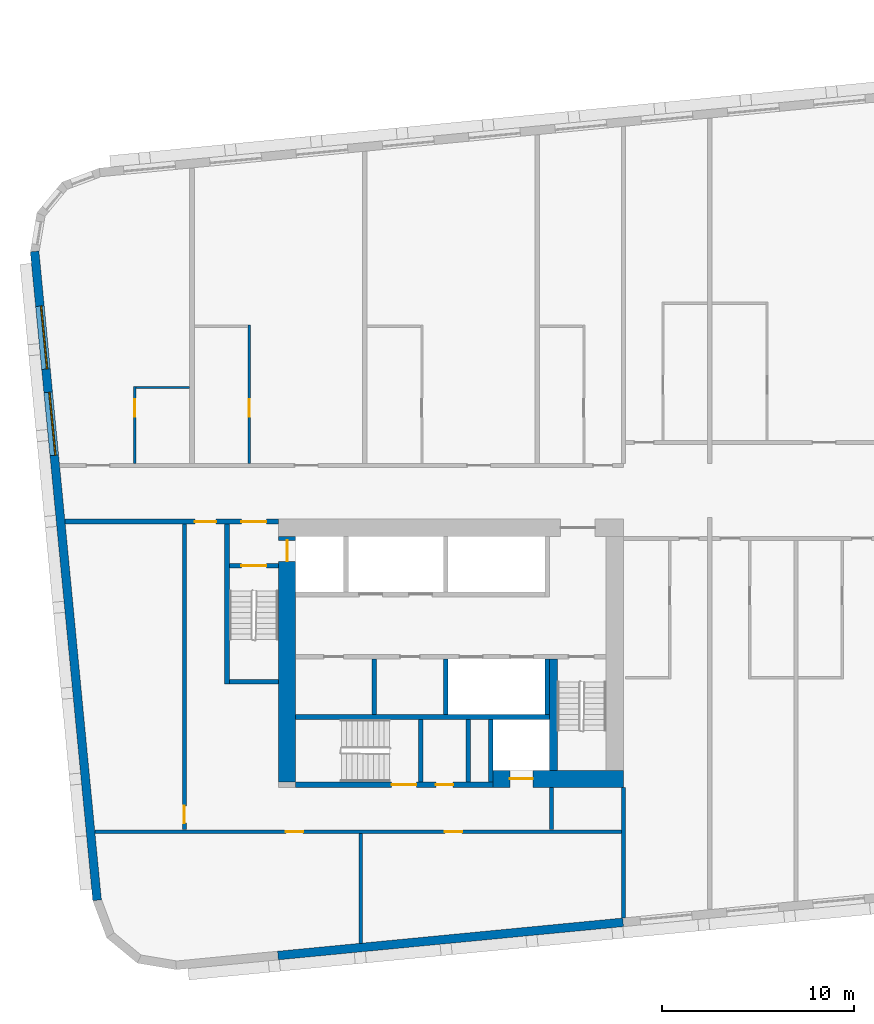
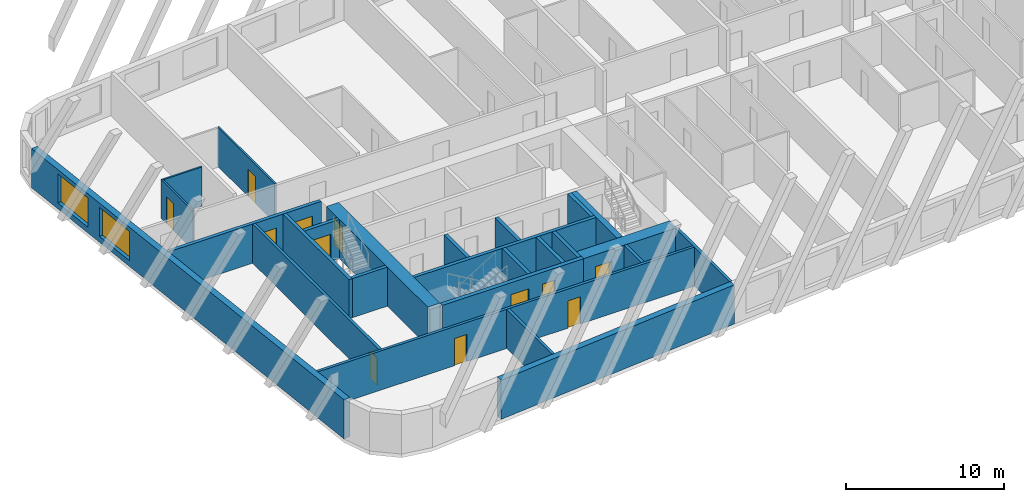
# One storey, part 2 of 13: 25 walls, 12 doors, 2 windows, 14 openings.
"""IFC4 building model written with IfcOpenShell, lengths in metres."""

from ifc_helpers import new_model, si_unit, direction, frame, frame_2d, origin, place, context, subcontext, project, spatial, rectangle, extrude, material, layer, layer_set, type_object, element, fill, save


model = new_model("IFC4")

# Units and contexts
model_context = context("Model", 3, precision=1e-05, world=origin(), true_north=direction((0.0, 1.0)))
body_context = subcontext(model_context, "Body", "Model", "MODEL_VIEW")
ifc_project = project(units=[si_unit("LENGTHUNIT", "METRE"), si_unit("AREAUNIT", "SQUARE_METRE"), si_unit("VOLUMEUNIT", "CUBIC_METRE"), si_unit("PLANEANGLEUNIT", "RADIAN"), si_unit("MASSUNIT", "GRAM", prefix="KILO")], contexts=[model_context])

# Site, building, storey
site_placement = place(None, origin())
site = spatial("IfcSite", under=ifc_project, at=site_placement, CompositionType="ELEMENT")
building_placement = place(site_placement, origin())
building = spatial("IfcBuilding", under=site, at=building_placement, Name="Kajstack Hotel Tower", CompositionType="ELEMENT")
storey_placement = place(building_placement, frame((0.0, 0.0, 196.60009765625)))
storey = spatial("IfcBuildingStorey", under=building, at=storey_placement, Name="L47", CompositionType="ELEMENT", Elevation=196.60009765625)

# Wall, opening, door
ifc_material_1 = material(Name="Concrete C60/75", Category="concrete")
ifc_layer_1 = layer(ifc_material_1, 0.89990234375)
ifc_layer_set_1 = layer_set([ifc_layer_1], Name="Core wall 900")
wall_type_1 = type_object("IfcWallType", Name="Core wall 900", PredefinedType="SHEAR", material=ifc_layer_set_1)
wall_1_placement = place(storey_placement, frame((-20.300048828125, -15.050048828125, 0.0), z_axis=(0.0, 0.0, 1.0), x_axis=(1.0, 0.0, 0.0)))
wall_1 = element("IfcWall", 1, at=wall_1_placement, inside=storey, type_object=wall_type_1, Name="Core wall W RS", PredefinedType="SHEAR", context=body_context, shape_type="SweptSolid", body=[
    extrude(rectangle(XDim=6.800048828125, YDim=0.89990234375, at=frame_2d((3.39990234375, 0.0))), origin(), (0.0, 0.0, 1.0), 3.02001953125),
])
opening_1_placement = place(wall_1_placement, frame((0.875, 0.0, 0.0)))
opening_1 = element("IfcOpeningElement", 2, at=opening_1_placement, cuts=wall_1, Name="Opening LD-SV1", PredefinedType="OPENING", context=body_context, shape_type="SweptSolid", body=[
    extrude(rectangle(XDim=1.199951171875, YDim=2.10009765625, at=frame_2d((0.60009765625, 1.050048828125))), frame((0.0, 0.4599609375, 0.0), z_axis=(0.0, -1.0, 0.0), x_axis=(1.0, 0.0, 0.0)), (0.0, 0.0, 1.0), 0.919921875),
])
ifc_material_2 = material(Name="Stainless steel", Category="steel")
door_type_1 = type_object("IfcDoorType", Name="Lift landing door 1200", OperationType="SLIDING_TO_LEFT", PredefinedType="DOOR", material=ifc_material_2)
door_1_placement = place(opening_1_placement, origin())
door_1 = element("IfcDoor", 3, at=door_1_placement, inside=storey, type_object=door_type_1, Name="Landing door SV1", OperationType="SLIDING_TO_LEFT", OverallHeight=2.10009765625, OverallWidth=1.199951171875, PredefinedType="DOOR", context=body_context, shape_type="SweptSolid", body=[
    extrude(rectangle(XDim=1.199951171875, YDim=2.10009765625, at=frame_2d((0.60009765625, 1.050048828125))), frame((0.0, 0.02490234375, 0.0), z_axis=(0.0, -1.0, 0.0), x_axis=(1.0, 0.0, 0.0)), (0.0, 0.0, 1.0), 0.050048828125),
])
fill(opening_1, door_1)

wall_2_placement = place(storey_placement, frame((-31.050048828125, -15.199951171875, 0.0), z_axis=(0.0, 0.0, 1.0), x_axis=(0.0, 1.0, 0.0)))
wall_2 = element("IfcWall", 4, at=wall_2_placement, inside=storey, type_object=wall_type_1, Name="Core wall W RW", PredefinedType="SHEAR", context=body_context, shape_type="SweptSolid", body=[
    extrude(rectangle(XDim=12.800048828125, YDim=0.89990234375, at=frame_2d((6.39990234375, 0.0))), origin(), (0.0, 0.0, 1.0), 3.02001953125),
])
opening_2_placement = place(wall_2_placement, frame((11.5, 0.0, 0.0)))
opening_2 = element("IfcOpeningElement", 5, at=opening_2_placement, cuts=wall_2, Name="Opening LD-FF1", PredefinedType="OPENING", context=body_context, shape_type="SweptSolid", body=[
    extrude(rectangle(XDim=1.10009765625, YDim=2.10009765625, at=frame_2d((0.550048828125, 1.050048828125))), frame((0.0, 0.4599609375, 0.0), z_axis=(0.0, -1.0, 0.0), x_axis=(1.0, 0.0, 0.0)), (0.0, 0.0, 1.0), 0.919921875),
])
door_type_2 = type_object("IfcDoorType", Name="Fire-fighting lift landing door 1100", OperationType="SLIDING_TO_LEFT", PredefinedType="DOOR", material=ifc_material_2)
door_2_placement = place(opening_2_placement, origin())
door_2 = element("IfcDoor", 6, at=door_2_placement, inside=storey, type_object=door_type_2, Name="Landing door FF1", OperationType="SLIDING_TO_RIGHT", OverallHeight=2.10009765625, OverallWidth=1.10009765625, PredefinedType="DOOR", context=body_context, shape_type="SweptSolid", body=[
    extrude(rectangle(XDim=1.10009765625, YDim=2.10009765625, at=frame_2d((0.550048828125, 1.050048828125))), frame((0.0, 0.02490234375, 0.0), z_axis=(0.0, -1.0, 0.0), x_axis=(1.0, 0.0, 0.0)), (0.0, 0.0, 1.0), 0.050048828125),
])
fill(opening_2, door_2)

# Walls
ifc_material_3 = material(Name="Twin-frame gypsum board on steel studs, mineral wool", Category="steel")
ifc_layer_2 = layer(ifc_material_3, 0.199951171875)
ifc_layer_set_2 = layer_set([ifc_layer_2], Name="Demising wall 200")
wall_type_2 = type_object("IfcWallType", Name="Demising wall 200", PredefinedType="PARTITIONING", material=ifc_layer_set_2)
wall_3_placement = place(storey_placement, frame((-13.5, -22.300048828125, 0.0), z_axis=(0.0, 0.0, 1.0), x_axis=(0.0, 1.0, 0.0)))
element("IfcWall", 7, at=wall_3_placement, inside=storey, type_object=wall_type_2, Name="G-wall-L47-002", PredefinedType="PARTITIONING", context=body_context, shape_type="SweptSolid", body=[
    extrude(rectangle(XDim=6.800048828125, YDim=0.199951171875, at=frame_2d((3.39990234375, 0.0))), origin(), (0.0, 0.0, 1.0), 3.02001953125),
])
ifc_material_4 = material(Name="Concrete C40/50", Category="concrete")
ifc_layer_3 = layer(ifc_material_4, 0.449951171875)
ifc_layer_set_3 = layer_set([ifc_layer_3], Name="EW-CORE")
wall_type_3 = type_object("IfcWallType", Name="EW-CORE", PredefinedType="SOLIDWALL", material=ifc_layer_set_3)
wall_4_placement = place(storey_placement, frame((-31.521484375, -24.26171875, 0.0), z_axis=(0.0, 0.0, 1.0), x_axis=(0.995396454615, 0.095843091245, 0.0)))
element("IfcWall", 8, at=wall_4_placement, inside=storey, type_object=wall_type_3, Name="E-wall-L47-04-01", PredefinedType="SOLIDWALL", context=body_context, shape_type="SweptSolid", body=[
    extrude(rectangle(XDim=18.083251953125, YDim=0.449951171875, at=frame_2d((9.04150390625, 0.0))), origin(), (0.0, 0.0, 1.0), 3.02001953125),
])

# Wall, openings, windows
ifc_material_5 = material(Name="Terracotta-faced brick masonry", Category="masonry")
ifc_layer_4 = layer(ifc_material_5, 0.449951171875)
ifc_layer_set_4 = layer_set([ifc_layer_4], Name="EW-TERRA")
wall_type_4 = type_object("IfcWallType", Name="EW-TERRA", PredefinedType="SOLIDWALL", material=ifc_layer_set_4)
wall_5_placement = place(storey_placement, frame((-44.21435546875, 12.465576171875, 0.0), z_axis=(0.0, 0.0, 1.0), x_axis=(0.095847314626, -0.995396047952, 0.0)))
wall_5 = element("IfcWall", 9, at=wall_5_placement, inside=storey, type_object=wall_type_4, Name="E-wall-L47-00-00", PredefinedType="SOLIDWALL", context=body_context, shape_type="SweptSolid", body=[
    extrude(rectangle(XDim=33.999755859375, YDim=0.449951171875, at=frame_2d((17.0, 0.0))), origin(), (0.0, 0.0, 1.0), 3.02001953125),
])
opening_3_placement = place(wall_5_placement, frame((2.864990234375, 0.0, 0.449951171875)))
opening_3 = element("IfcOpeningElement", 10, at=opening_3_placement, cuts=wall_5, Name="Opening W2", PredefinedType="OPENING", context=body_context, shape_type="SweptSolid", body=[
    extrude(rectangle(XDim=3.300048828125, YDim=2.25, at=frame_2d((1.64990234375, 1.125))), frame((0.0, 0.23486328125, 0.0), z_axis=(0.0, -1.0, 0.0), x_axis=(1.0, 0.0, 0.0)), (0.0, 0.0, 1.0), 0.469970703125),
])
opening_4_placement = place(wall_5_placement, frame((7.3857421875, 0.0, 0.449951171875)))
opening_4 = element("IfcOpeningElement", 11, at=opening_4_placement, cuts=wall_5, Name="Opening W2", PredefinedType="OPENING", context=body_context, shape_type="SweptSolid", body=[
    extrude(rectangle(XDim=3.300048828125, YDim=2.25, at=frame_2d((1.64990234375, 1.125))), frame((0.0, 0.23486328125, 0.0), z_axis=(0.0, -1.0, 0.0), x_axis=(1.0, 0.0, 0.0)), (0.0, 0.0, 1.0), 0.469970703125),
])
ifc_material_6 = material(Name="Timber-aluminium window, triple glazed", Category="wood")
window_type = type_object("IfcWindowType", Name="WG2", PartitioningType="SINGLE_PANEL", PredefinedType="WINDOW", material=ifc_material_6)
window_1_placement = place(opening_3_placement, origin())
window_1 = element("IfcWindow", 12, at=window_1_placement, inside=storey, type_object=window_type, Name="Window W2 L47-00", OverallHeight=2.25, OverallWidth=3.300048828125, PartitioningType="SINGLE_PANEL", PredefinedType="WINDOW", context=body_context, shape_type="SweptSolid", body=[
    extrude(rectangle(XDim=3.300048828125, YDim=2.25, at=frame_2d((1.64990234375, 1.125))), frame((0.0, 0.090087890625, 0.0), z_axis=(0.0, -1.0, 0.0), x_axis=(1.0, 0.0, 0.0)), (0.0, 0.0, 1.0), 0.06005859375),
])
fill(opening_3, window_1)
window_2_placement = place(opening_4_placement, origin())
window_2 = element("IfcWindow", 13, at=window_2_placement, inside=storey, type_object=window_type, Name="Window W2 L47-00", OverallHeight=2.25, OverallWidth=3.300048828125, PartitioningType="SINGLE_PANEL", PredefinedType="WINDOW", context=body_context, shape_type="SweptSolid", body=[
    extrude(rectangle(XDim=3.300048828125, YDim=2.25, at=frame_2d((1.64990234375, 1.125))), frame((0.0, 0.090087890625, 0.0), z_axis=(0.0, -1.0, 0.0), x_axis=(1.0, 0.0, 0.0)), (0.0, 0.0, 1.0), 0.06005859375),
])
fill(opening_4, window_2)

# Wall, opening, door
ifc_material_7 = material(Name="Gypsum board and tiled backer on steel studs", Category="steel")
ifc_layer_5 = layer(ifc_material_7, 0.125)
ifc_layer_set_5 = layer_set([ifc_layer_5], Name="En-suite wall 125")
wall_type_5 = type_object("IfcWallType", Name="En-suite wall 125", PredefinedType="PARTITIONING", material=ifc_layer_set_5)
wall_6_placement = place(storey_placement, frame((-38.987060546875, 1.39990234375, 0.0), z_axis=(0.0, 0.0, 1.0), x_axis=(0.0, 1.0, 0.0)))
wall_6 = element("IfcWall", 14, at=wall_6_placement, inside=storey, type_object=wall_type_5, Name="G-wall-L47-005", PredefinedType="PARTITIONING", context=body_context, shape_type="SweptSolid", body=[
    extrude(rectangle(XDim=4.028076171875, YDim=0.125, at=frame_2d((2.01416015625, 0.0))), origin(), (0.0, 0.0, 1.0), 3.02001953125),
])
opening_5_placement = place(wall_6_placement, frame((2.449951171875, 0.0, 0.0)))
opening_5 = element("IfcOpeningElement", 15, at=opening_5_placement, cuts=wall_6, Name="Opening 47002", PredefinedType="OPENING", context=body_context, shape_type="SweptSolid", body=[
    extrude(rectangle(XDim=0.89990234375, YDim=2.10009765625, at=frame_2d((0.449951171875, 1.050048828125))), frame((0.0, 0.072509765625, 0.0), z_axis=(0.0, -1.0, 0.0), x_axis=(1.0, 0.0, 0.0)), (0.0, 0.0, 1.0), 0.14501953125),
])
ifc_material_8 = material(Name="Painted timber door leaf", Category="wood")
door_type_3 = type_object("IfcDoorType", Name="Room door 900", OperationType="SINGLE_SWING_LEFT", PredefinedType="DOOR", material=ifc_material_8)
door_3_placement = place(opening_5_placement, origin())
door_3 = element("IfcDoor", 16, at=door_3_placement, inside=storey, type_object=door_type_3, Name="G-door-L47-02", OperationType="SINGLE_SWING_RIGHT", OverallHeight=2.10009765625, OverallWidth=0.89990234375, PredefinedType="DOOR", context=body_context, shape_type="SweptSolid", body=[
    extrude(rectangle(XDim=0.89990234375, YDim=2.10009765625, at=frame_2d((0.449951171875, 1.050048828125))), frame((0.0, 0.02490234375, 0.0), z_axis=(0.0, -1.0, 0.0), x_axis=(1.0, 0.0, 0.0)), (0.0, 0.0, 1.0), 0.050048828125),
])
fill(opening_5, door_3)

# Wall
wall_7_placement = place(storey_placement, frame((-38.925048828125, 5.365966796875, 0.0), z_axis=(0.0, 0.0, 1.0), x_axis=(1.0, 0.0, 0.0)))
element("IfcWall", 17, at=wall_7_placement, inside=storey, type_object=wall_type_5, Name="G-wall-L47-006", PredefinedType="PARTITIONING", context=body_context, shape_type="SweptSolid", body=[
    extrude(rectangle(XDim=2.800048828125, YDim=0.125, at=frame_2d((1.39990234375, 0.0))), origin(), (0.0, 0.0, 1.0), 3.02001953125),
])

# Wall, opening, door
wall_8_placement = place(storey_placement, frame((-33.012939453125, 1.39990234375, 0.0), z_axis=(0.0, 0.0, 1.0), x_axis=(0.0, 1.0, 0.0)))
wall_8 = element("IfcWall", 18, at=wall_8_placement, inside=storey, type_object=wall_type_5, Name="G-wall-L47-007", PredefinedType="PARTITIONING", context=body_context, shape_type="SweptSolid", body=[
    extrude(rectangle(XDim=7.22509765625, YDim=0.125, at=frame_2d((3.612548828125, 0.0))), origin(), (0.0, 0.0, 1.0), 3.02001953125),
])
opening_6_placement = place(wall_8_placement, frame((2.449951171875, 0.0, 0.0)))
opening_6 = element("IfcOpeningElement", 19, at=opening_6_placement, cuts=wall_8, Name="Opening 47004", PredefinedType="OPENING", context=body_context, shape_type="SweptSolid", body=[
    extrude(rectangle(XDim=0.89990234375, YDim=2.10009765625, at=frame_2d((0.449951171875, 1.050048828125))), frame((0.0, 0.072509765625, 0.0), z_axis=(0.0, -1.0, 0.0), x_axis=(1.0, 0.0, 0.0)), (0.0, 0.0, 1.0), 0.14501953125),
])
door_4_placement = place(opening_6_placement, origin())
door_4 = element("IfcDoor", 20, at=door_4_placement, inside=storey, type_object=door_type_3, Name="G-door-L47-04", OperationType="SINGLE_SWING_RIGHT", OverallHeight=2.10009765625, OverallWidth=0.89990234375, PredefinedType="DOOR", context=body_context, shape_type="SweptSolid", body=[
    extrude(rectangle(XDim=0.89990234375, YDim=2.10009765625, at=frame_2d((0.449951171875, 1.050048828125))), frame((0.0, 0.02490234375, 0.0), z_axis=(0.0, -1.0, 0.0), x_axis=(1.0, 0.0, 0.0)), (0.0, 0.0, 1.0), 0.050048828125),
])
fill(opening_6, door_4)

# Walls
ifc_material_9 = material(Name="Concrete C50/60", Category="concrete")
ifc_layer_6 = layer(ifc_material_9, 0.300048828125)
ifc_layer_set_6 = layer_set([ifc_layer_6], Name="Hoistway divider wall 300")
wall_type_6 = type_object("IfcWallType", Name="Hoistway divider wall 300", PredefinedType="SHEAR", material=ifc_layer_set_6)
wall_9_placement = place(storey_placement, frame((-22.77490234375, -11.699951171875, 0.0), z_axis=(0.0, 0.0, 1.0), x_axis=(0.0, 1.0, 0.0)))
element("IfcWall", 21, at=wall_9_placement, inside=storey, type_object=wall_type_6, Name="Core wall W BP2", PredefinedType="SHEAR", context=body_context, shape_type="SweptSolid", body=[
    extrude(rectangle(XDim=2.89990234375, YDim=0.25, at=frame_2d((1.449951171875, 0.0))), origin(), (0.0, 0.0, 1.0), 3.02001953125),
])
ifc_material_10 = material(Name="Concrete block masonry", Category="masonry")
ifc_layer_7 = layer(ifc_material_10, 0.25)
ifc_layer_set_7 = layer_set([ifc_layer_7], Name="Riser partition 250")
wall_type_7 = type_object("IfcWallType", Name="Riser partition 250", PredefinedType="PARTITIONING", material=ifc_layer_set_7)
wall_10_placement = place(storey_placement, frame((-26.5, -11.699951171875, 0.0), z_axis=(0.0, 0.0, 1.0), x_axis=(0.0, 1.0, 0.0)))
element("IfcWall", 22, at=wall_10_placement, inside=storey, type_object=wall_type_7, Name="Partition W BF0", PredefinedType="PARTITIONING", context=body_context, shape_type="SweptSolid", body=[
    extrude(rectangle(XDim=2.89990234375, YDim=0.25, at=frame_2d((1.449951171875, 0.0))), origin(), (0.0, 0.0, 1.0), 3.02001953125),
])
wall_11_placement = place(storey_placement, frame((-21.60009765625, -15.199951171875, 0.0), z_axis=(0.0, 0.0, 1.0), x_axis=(0.0, 1.0, 0.0)))
element("IfcWall", 23, at=wall_11_placement, inside=storey, type_object=wall_type_7, Name="Partition W SZ0", PredefinedType="PARTITIONING", context=body_context, shape_type="SweptSolid", body=[
    extrude(rectangle(XDim=3.25, YDim=0.25, at=frame_2d((1.625, 0.0))), origin(), (0.0, 0.0, 1.0), 3.02001953125),
])

# Wall, openings, doors
ifc_material_11 = material(Name="Gypsum board on steel studs, mineral wool", Category="steel")
ifc_layer_8 = layer(ifc_material_11, 0.199951171875)
ifc_layer_set_8 = layer_set([ifc_layer_8], Name="Service partition 200")
wall_type_8 = type_object("IfcWallType", Name="Service partition 200", PredefinedType="PARTITIONING", material=ifc_layer_set_8)
wall_12_placement = place(storey_placement, frame((-42.631591796875, -1.625, 0.0), z_axis=(0.0, 0.0, 1.0), x_axis=(1.0, 0.0, 0.0)))
wall_12 = element("IfcWall", 24, at=wall_12_placement, inside=storey, type_object=wall_type_8, Name="Partition W SN", PredefinedType="PARTITIONING", context=body_context, shape_type="SweptSolid", body=[
    extrude(rectangle(XDim=11.131591796875, YDim=0.25, at=frame_2d((5.56591796875, 0.0))), origin(), (0.0, 0.0, 1.0), 3.02001953125),
])
opening_7_placement = place(wall_12_placement, frame((9.20654296875, 0.0, 0.0)))
opening_7 = element("IfcOpeningElement", 25, at=opening_7_placement, cuts=wall_12, Name="Opening 47W08", PredefinedType="OPENING", context=body_context, shape_type="SweptSolid", body=[
    extrude(rectangle(XDim=1.300048828125, YDim=2.10009765625, at=frame_2d((0.64990234375, 1.050048828125))), frame((0.0, 0.135009765625, 0.0), z_axis=(0.0, -1.0, 0.0), x_axis=(1.0, 0.0, 0.0)), (0.0, 0.0, 1.0), 0.27001953125),
])
opening_8_placement = place(wall_12_placement, frame((6.781494140625, 0.0, 0.0)))
opening_8 = element("IfcOpeningElement", 26, at=opening_8_placement, cuts=wall_12, Name="Opening 47W10", PredefinedType="OPENING", context=body_context, shape_type="SweptSolid", body=[
    extrude(rectangle(XDim=1.10009765625, YDim=2.10009765625, at=frame_2d((0.550048828125, 1.050048828125))), frame((0.0, 0.135009765625, 0.0), z_axis=(0.0, -1.0, 0.0), x_axis=(1.0, 0.0, 0.0)), (0.0, 0.0, 1.0), 0.27001953125),
])
ifc_material_12 = material(Name="Steel leaf, fire-rated", Category="steel")
door_type_4 = type_object("IfcDoorType", Name="Fire lobby door 1300", OperationType="SINGLE_SWING_LEFT", PredefinedType="DOOR", material=ifc_material_12)
door_5_placement = place(opening_7_placement, origin())
door_5 = element("IfcDoor", 27, at=door_5_placement, inside=storey, type_object=door_type_4, Name="Door 47W08", OperationType="SINGLE_SWING_RIGHT", OverallHeight=2.10009765625, OverallWidth=1.300048828125, PredefinedType="DOOR", context=body_context, shape_type="SweptSolid", body=[
    extrude(rectangle(XDim=1.300048828125, YDim=2.10009765625, at=frame_2d((0.64990234375, 1.050048828125))), frame((0.0, 0.02490234375, 0.0), z_axis=(0.0, -1.0, 0.0), x_axis=(1.0, 0.0, 0.0)), (0.0, 0.0, 1.0), 0.050048828125),
])
fill(opening_7, door_5)
ifc_material_13 = material(Name="Timber leaf, fire-rated", Category="wood")
door_type_5 = type_object("IfcDoorType", Name="Service corridor door 1100", OperationType="SINGLE_SWING_LEFT", PredefinedType="DOOR", material=ifc_material_13)
door_6_placement = place(opening_8_placement, origin())
door_6 = element("IfcDoor", 28, at=door_6_placement, inside=storey, type_object=door_type_5, Name="Door 47W10", OperationType="SINGLE_SWING_RIGHT", OverallHeight=2.10009765625, OverallWidth=1.10009765625, PredefinedType="DOOR", context=body_context, shape_type="SweptSolid", body=[
    extrude(rectangle(XDim=1.10009765625, YDim=2.10009765625, at=frame_2d((0.550048828125, 1.050048828125))), frame((0.0, 0.02490234375, 0.0), z_axis=(0.0, -1.0, 0.0), x_axis=(1.0, 0.0, 0.0)), (0.0, 0.0, 1.0), 0.050048828125),
])
fill(opening_8, door_6)

# Wall
wall_13_placement = place(storey_placement, frame((-17.25, -17.699951171875, 0.0), z_axis=(0.0, 0.0, 1.0), x_axis=(0.0, 1.0, 0.0)))
element("IfcWall", 29, at=wall_13_placement, inside=storey, type_object=wall_type_8, Name="Partition W SCE", PredefinedType="PARTITIONING", context=body_context, shape_type="SweptSolid", body=[
    extrude(rectangle(XDim=2.199951171875, YDim=0.199951171875, at=frame_2d((1.10009765625, 0.0))), origin(), (0.0, 0.0, 1.0), 3.02001953125),
])

# Wall, opening, door
wall_14_placement = place(storey_placement, frame((-36.39990234375, -17.699951171875, 0.0), z_axis=(0.0, 0.0, 1.0), x_axis=(0.0, 1.0, 0.0)))
wall_14 = element("IfcWall", 30, at=wall_14_placement, inside=storey, type_object=wall_type_8, Name="Partition W WRE", PredefinedType="PARTITIONING", context=body_context, shape_type="SweptSolid", body=[
    extrude(rectangle(XDim=15.949951171875, YDim=0.199951171875, at=frame_2d((7.97509765625, 0.0))), origin(), (0.0, 0.0, 1.0), 3.02001953125),
])
opening_9_placement = place(wall_14_placement, frame((0.35009765625, 0.0, 0.0)))
opening_9 = element("IfcOpeningElement", 31, at=opening_9_placement, cuts=wall_14, Name="Opening 47W18", PredefinedType="OPENING", context=body_context, shape_type="SweptSolid", body=[
    extrude(rectangle(XDim=0.89990234375, YDim=2.10009765625, at=frame_2d((0.449951171875, 1.050048828125))), frame((0.0, 0.10986328125, 0.0), z_axis=(0.0, -1.0, 0.0), x_axis=(1.0, 0.0, 0.0)), (0.0, 0.0, 1.0), 0.219970703125),
])
door_type_6 = type_object("IfcDoorType", Name="Service door 900", OperationType="SINGLE_SWING_LEFT", PredefinedType="DOOR", material=ifc_material_13)
door_7_placement = place(opening_9_placement, origin())
door_7 = element("IfcDoor", 32, at=door_7_placement, inside=storey, type_object=door_type_6, Name="Door 47W18", OperationType="SINGLE_SWING_LEFT", OverallHeight=2.10009765625, OverallWidth=0.89990234375, PredefinedType="DOOR", context=body_context, shape_type="SweptSolid", body=[
    extrude(rectangle(XDim=0.89990234375, YDim=2.10009765625, at=frame_2d((0.449951171875, 1.050048828125))), frame((0.0, 0.02490234375, 0.0), z_axis=(0.0, -1.0, 0.0), x_axis=(1.0, 0.0, 0.0)), (0.0, 0.0, 1.0), 0.050048828125),
])
fill(opening_9, door_7)

# Wall, openings, doors
wall_15_placement = place(storey_placement, frame((-41.07421875, -17.800048828125, 0.0), z_axis=(0.0, 0.0, 1.0), x_axis=(1.0, 0.0, 0.0)))
wall_15 = element("IfcWall", 33, at=wall_15_placement, inside=storey, type_object=wall_type_8, Name="Partition W SLN", PredefinedType="PARTITIONING", context=body_context, shape_type="SweptSolid", body=[
    extrude(rectangle(XDim=27.47412109375, YDim=0.199951171875, at=frame_2d((13.737060546875, 0.0))), origin(), (0.0, 0.0, 1.0), 3.02001953125),
])
opening_10_placement = place(wall_15_placement, frame((9.961669921875, 0.0, 0.0)))
opening_10 = element("IfcOpeningElement", 34, at=opening_10_placement, cuts=wall_15, Name="Opening 47W16", PredefinedType="OPENING", context=body_context, shape_type="SweptSolid", body=[
    extrude(rectangle(XDim=0.89990234375, YDim=2.10009765625, at=frame_2d((0.449951171875, 1.050048828125))), frame((0.0, 0.10986328125, 0.0), z_axis=(0.0, -1.0, 0.0), x_axis=(1.0, 0.0, 0.0)), (0.0, 0.0, 1.0), 0.219970703125),
])
opening_11_placement = place(wall_15_placement, frame((18.26171875, 0.0, 0.0)))
opening_11 = element("IfcOpeningElement", 35, at=opening_11_placement, cuts=wall_15, Name="Opening 47W17", PredefinedType="OPENING", context=body_context, shape_type="SweptSolid", body=[
    extrude(rectangle(XDim=0.89990234375, YDim=2.10009765625, at=frame_2d((0.449951171875, 1.050048828125))), frame((0.0, 0.10986328125, 0.0), z_axis=(0.0, -1.0, 0.0), x_axis=(1.0, 0.0, 0.0)), (0.0, 0.0, 1.0), 0.219970703125),
])
door_8_placement = place(opening_10_placement, origin())
door_8 = element("IfcDoor", 36, at=door_8_placement, inside=storey, type_object=door_type_6, Name="Door 47W16", OperationType="SINGLE_SWING_RIGHT", OverallHeight=2.10009765625, OverallWidth=0.89990234375, PredefinedType="DOOR", context=body_context, shape_type="SweptSolid", body=[
    extrude(rectangle(XDim=0.89990234375, YDim=2.10009765625, at=frame_2d((0.449951171875, 1.050048828125))), frame((0.0, 0.02490234375, 0.0), z_axis=(0.0, -1.0, 0.0), x_axis=(1.0, 0.0, 0.0)), (0.0, 0.0, 1.0), 0.050048828125),
])
fill(opening_10, door_8)
door_9_placement = place(opening_11_placement, origin())
door_9 = element("IfcDoor", 37, at=door_9_placement, inside=storey, type_object=door_type_6, Name="Door 47W17", OperationType="SINGLE_SWING_RIGHT", OverallHeight=2.10009765625, OverallWidth=0.89990234375, PredefinedType="DOOR", context=body_context, shape_type="SweptSolid", body=[
    extrude(rectangle(XDim=0.89990234375, YDim=2.10009765625, at=frame_2d((0.449951171875, 1.050048828125))), frame((0.0, 0.02490234375, 0.0), z_axis=(0.0, -1.0, 0.0), x_axis=(1.0, 0.0, 0.0)), (0.0, 0.0, 1.0), 0.050048828125),
])
fill(opening_11, door_9)

# Wall
wall_16_placement = place(storey_placement, frame((-27.199951171875, -23.62060546875, 0.0), z_axis=(0.0, 0.0, 1.0), x_axis=(0.0, 1.0, 0.0)))
element("IfcWall", 38, at=wall_16_placement, inside=storey, type_object=wall_type_8, Name="Partition W SLP0", PredefinedType="PARTITIONING", context=body_context, shape_type="SweptSolid", body=[
    extrude(rectangle(XDim=5.720703125, YDim=0.199951171875, at=frame_2d((2.8603515625, 0.0))), origin(), (0.0, 0.0, 1.0), 3.02001953125),
])

# Wall, openings, doors
ifc_layer_9 = layer(ifc_material_9, 0.25)
ifc_layer_set_9 = layer_set([ifc_layer_9], Name="Shaft wall 250")
wall_type_9 = type_object("IfcWallType", Name="Shaft wall 250", PredefinedType="SHEAR", material=ifc_layer_set_9)
wall_17_placement = place(storey_placement, frame((-30.60009765625, -15.35009765625, 0.0), z_axis=(0.0, 0.0, 1.0), x_axis=(1.0, 0.0, 0.0)))
wall_17 = element("IfcWall", 39, at=wall_17_placement, inside=storey, type_object=wall_type_9, Name="Core wall W RSS", PredefinedType="SHEAR", context=body_context, shape_type="SweptSolid", body=[
    extrude(rectangle(XDim=10.300048828125, YDim=0.300048828125, at=frame_2d((5.14990234375, 0.0))), origin(), (0.0, 0.0, 1.0), 3.02001953125),
])
opening_12_placement = place(wall_17_placement, frame((5.0, 0.0, 0.0)))
opening_12 = element("IfcOpeningElement", 40, at=opening_12_placement, cuts=wall_17, Name="Opening 47W12", PredefinedType="OPENING", context=body_context, shape_type="SweptSolid", body=[
    extrude(rectangle(XDim=1.300048828125, YDim=2.10009765625, at=frame_2d((0.64990234375, 1.050048828125))), frame((0.0, 0.159912109375, 0.0), z_axis=(0.0, -1.0, 0.0), x_axis=(1.0, 0.0, 0.0)), (0.0, 0.0, 1.0), 0.320068359375),
])
opening_13_placement = place(wall_17_placement, frame((7.3125, 0.0, 0.0)))
opening_13 = element("IfcOpeningElement", 41, at=opening_13_placement, cuts=wall_17, Name="Opening 47W13", PredefinedType="OPENING", context=body_context, shape_type="SweptSolid", body=[
    extrude(rectangle(XDim=0.89990234375, YDim=2.10009765625, at=frame_2d((0.449951171875, 1.050048828125))), frame((0.0, 0.159912109375, 0.0), z_axis=(0.0, -1.0, 0.0), x_axis=(1.0, 0.0, 0.0)), (0.0, 0.0, 1.0), 0.320068359375),
])
door_10_placement = place(opening_13_placement, origin())
door_10 = element("IfcDoor", 42, at=door_10_placement, inside=storey, type_object=door_type_6, Name="Door 47W13", OperationType="SINGLE_SWING_LEFT", OverallHeight=2.10009765625, OverallWidth=0.89990234375, PredefinedType="DOOR", context=body_context, shape_type="SweptSolid", body=[
    extrude(rectangle(XDim=0.89990234375, YDim=2.10009765625, at=frame_2d((0.449951171875, 1.050048828125))), frame((0.0, 0.02490234375, 0.0), z_axis=(0.0, -1.0, 0.0), x_axis=(1.0, 0.0, 0.0)), (0.0, 0.0, 1.0), 0.050048828125),
])
fill(opening_13, door_10)
door_type_7 = type_object("IfcDoorType", Name="Stair door 1300", OperationType="SINGLE_SWING_LEFT", PredefinedType="DOOR", material=ifc_material_12)
door_11_placement = place(opening_12_placement, origin())
door_11 = element("IfcDoor", 43, at=door_11_placement, inside=storey, type_object=door_type_7, Name="Door 47W12", OperationType="SINGLE_SWING_RIGHT", OverallHeight=2.10009765625, OverallWidth=1.300048828125, PredefinedType="DOOR", context=body_context, shape_type="SweptSolid", body=[
    extrude(rectangle(XDim=1.300048828125, YDim=2.10009765625, at=frame_2d((0.64990234375, 1.050048828125))), frame((0.0, 0.02490234375, 0.0), z_axis=(0.0, -1.0, 0.0), x_axis=(1.0, 0.0, 0.0)), (0.0, 0.0, 1.0), 0.050048828125),
])
fill(opening_12, door_11)

# Walls
wall_18_placement = place(storey_placement, frame((-30.60009765625, -11.824951171875, 0.0), z_axis=(0.0, 0.0, 1.0), x_axis=(1.0, 0.0, 0.0)))
element("IfcWall", 44, at=wall_18_placement, inside=storey, type_object=wall_type_9, Name="Core wall W RB", PredefinedType="SHEAR", context=body_context, shape_type="SweptSolid", body=[
    extrude(rectangle(XDim=13.25, YDim=0.25, at=frame_2d((6.625, 0.0))), origin(), (0.0, 0.0, 1.0), 3.02001953125),
])
wall_19_placement = place(storey_placement, frame((-17.47509765625, -11.699951171875, 0.0), z_axis=(0.0, 0.0, 1.0), x_axis=(0.0, 1.0, 0.0)))
element("IfcWall", 45, at=wall_19_placement, inside=storey, type_object=wall_type_9, Name="Core wall W BE", PredefinedType="SHEAR", context=body_context, shape_type="SweptSolid", body=[
    extrude(rectangle(XDim=2.89990234375, YDim=0.25, at=frame_2d((1.449951171875, 0.0))), origin(), (0.0, 0.0, 1.0), 3.02001953125),
])
wall_20_placement = place(storey_placement, frame((-20.425048828125, -15.199951171875, 0.0), z_axis=(0.0, 0.0, 1.0), x_axis=(0.0, 1.0, 0.0)))
element("IfcWall", 46, at=wall_20_placement, inside=storey, type_object=wall_type_9, Name="Core wall W SVW", PredefinedType="SHEAR", context=body_context, shape_type="SweptSolid", body=[
    extrude(rectangle(XDim=3.25, YDim=0.25, at=frame_2d((1.625, 0.0))), origin(), (0.0, 0.0, 1.0), 3.02001953125),
])

# Wall, opening, door
ifc_layer_10 = layer(ifc_material_4, 0.25)
ifc_layer_set_10 = layer_set([ifc_layer_10], Name="Stair enclosure wall 250")
wall_type_10 = type_object("IfcWallType", Name="Stair enclosure wall 250", PredefinedType="SHEAR", material=ifc_layer_set_10)
wall_21_placement = place(storey_placement, frame((-34.050048828125, -3.925048828125, 0.0), z_axis=(0.0, 0.0, 1.0), x_axis=(1.0, 0.0, 0.0)))
wall_21 = element("IfcWall", 47, at=wall_21_placement, inside=storey, type_object=wall_type_10, Name="Core wall W W1N", PredefinedType="SHEAR", context=body_context, shape_type="SweptSolid", body=[
    extrude(rectangle(XDim=2.550048828125, YDim=0.25, at=frame_2d((1.27490234375, 0.0))), origin(), (0.0, 0.0, 1.0), 3.02001953125),
])
opening_14_placement = place(wall_21_placement, frame((0.625, 0.0, 0.0)))
opening_14 = element("IfcOpeningElement", 48, at=opening_14_placement, cuts=wall_21, Name="Opening 47W09", PredefinedType="OPENING", context=body_context, shape_type="SweptSolid", body=[
    extrude(rectangle(XDim=1.300048828125, YDim=2.10009765625, at=frame_2d((0.64990234375, 1.050048828125))), frame((0.0, 0.135009765625, 0.0), z_axis=(0.0, -1.0, 0.0), x_axis=(1.0, 0.0, 0.0)), (0.0, 0.0, 1.0), 0.27001953125),
])
door_12_placement = place(opening_14_placement, origin())
door_12 = element("IfcDoor", 49, at=door_12_placement, inside=storey, type_object=door_type_7, Name="Door 47W09", OperationType="SINGLE_SWING_RIGHT", OverallHeight=2.10009765625, OverallWidth=1.300048828125, PredefinedType="DOOR", context=body_context, shape_type="SweptSolid", body=[
    extrude(rectangle(XDim=1.300048828125, YDim=2.10009765625, at=frame_2d((0.64990234375, 1.050048828125))), frame((0.0, 0.02490234375, 0.0), z_axis=(0.0, -1.0, 0.0), x_axis=(1.0, 0.0, 0.0)), (0.0, 0.0, 1.0), 0.050048828125),
])
fill(opening_14, door_12)

# Walls
wall_22_placement = place(storey_placement, frame((-34.175048828125, -10.10009765625, 0.0), z_axis=(0.0, 0.0, 1.0), x_axis=(0.0, 1.0, 0.0)))
element("IfcWall", 50, at=wall_22_placement, inside=storey, type_object=wall_type_10, Name="Core wall W W1W", PredefinedType="SHEAR", context=body_context, shape_type="SweptSolid", body=[
    extrude(rectangle(XDim=8.35009765625, YDim=0.25, at=frame_2d((4.175048828125, 0.0))), origin(), (0.0, 0.0, 1.0), 3.02001953125),
])
wall_23_placement = place(storey_placement, frame((-34.050048828125, -9.97509765625, 0.0), z_axis=(0.0, 0.0, 1.0), x_axis=(1.0, 0.0, 0.0)))
element("IfcWall", 51, at=wall_23_placement, inside=storey, type_object=wall_type_10, Name="Core wall W W1S", PredefinedType="SHEAR", context=body_context, shape_type="SweptSolid", body=[
    extrude(rectangle(XDim=2.550048828125, YDim=0.25, at=frame_2d((1.27490234375, 0.0))), origin(), (0.0, 0.0, 1.0), 3.02001953125),
])
ifc_layer_11 = layer(ifc_material_9, 0.35009765625)
ifc_layer_set_11 = layer_set([ifc_layer_11], Name="Stair enclosure wall 350")
wall_type_11 = type_object("IfcWallType", Name="Stair enclosure wall 350", PredefinedType="SHEAR", material=ifc_layer_set_11)
wall_24_placement = place(storey_placement, frame((-24.074951171875, -15.199951171875, 0.0), z_axis=(0.0, 0.0, 1.0), x_axis=(0.0, 1.0, 0.0)))
element("IfcWall", 52, at=wall_24_placement, inside=storey, type_object=wall_type_11, Name="Core wall W W3E", PredefinedType="SHEAR", context=body_context, shape_type="SweptSolid", body=[
    extrude(rectangle(XDim=3.25, YDim=0.25, at=frame_2d((1.625, 0.0))), origin(), (0.0, 0.0, 1.0), 3.02001953125),
])
ifc_layer_12 = layer(ifc_material_9, 0.39990234375)
ifc_layer_set_12 = layer_set([ifc_layer_12], Name="Stair wall 400")
wall_type_12 = type_object("IfcWallType", Name="Stair wall 400", PredefinedType="SHEAR", material=ifc_layer_set_12)
wall_25_placement = place(storey_placement, frame((-17.14990234375, -14.60009765625, 0.0), z_axis=(0.0, 0.0, 1.0), x_axis=(0.0, 1.0, 0.0)))
element("IfcWall", 53, at=wall_25_placement, inside=storey, type_object=wall_type_12, Name="Core wall W WW2", PredefinedType="SHEAR", context=body_context, shape_type="SweptSolid", body=[
    extrude(rectangle(XDim=5.800048828125, YDim=0.39990234375, at=frame_2d((2.89990234375, 0.0))), origin(), (0.0, 0.0, 1.0), 3.02001953125),
])

save(model, "model.ifc")
